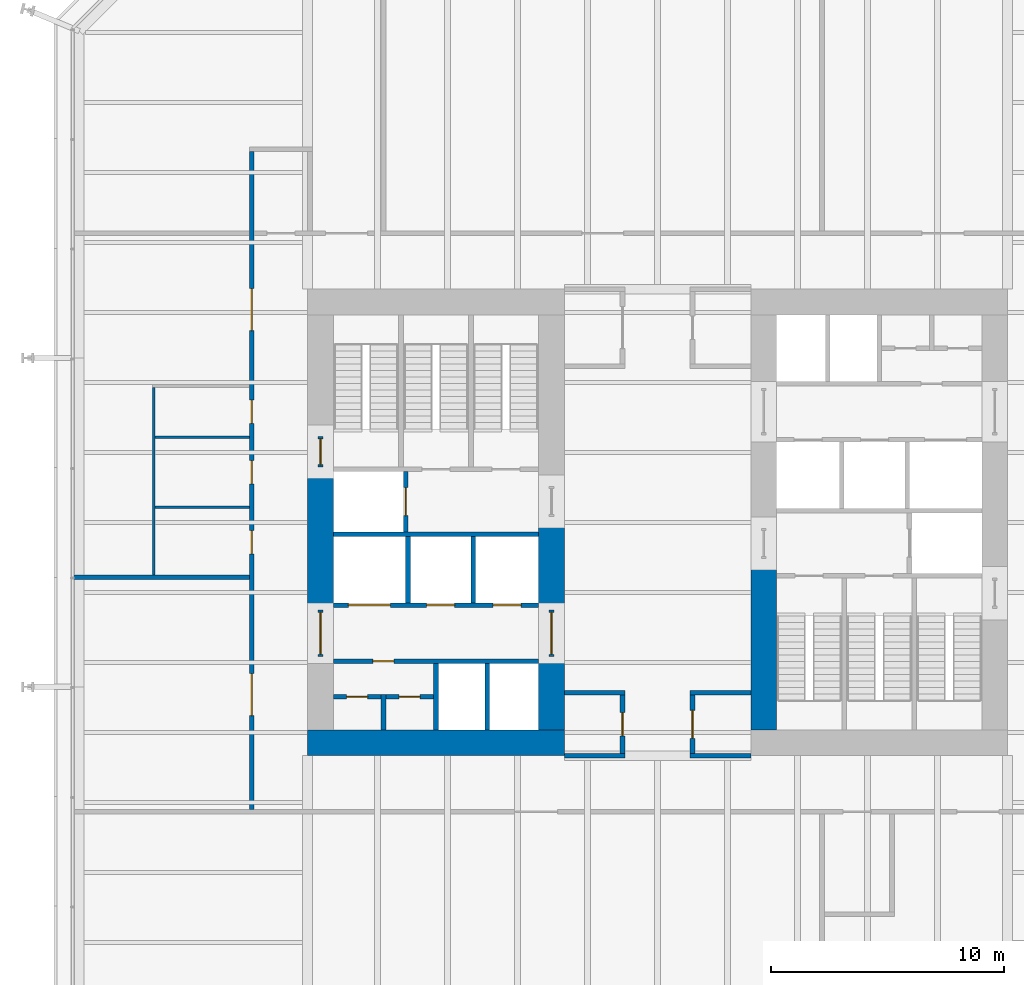
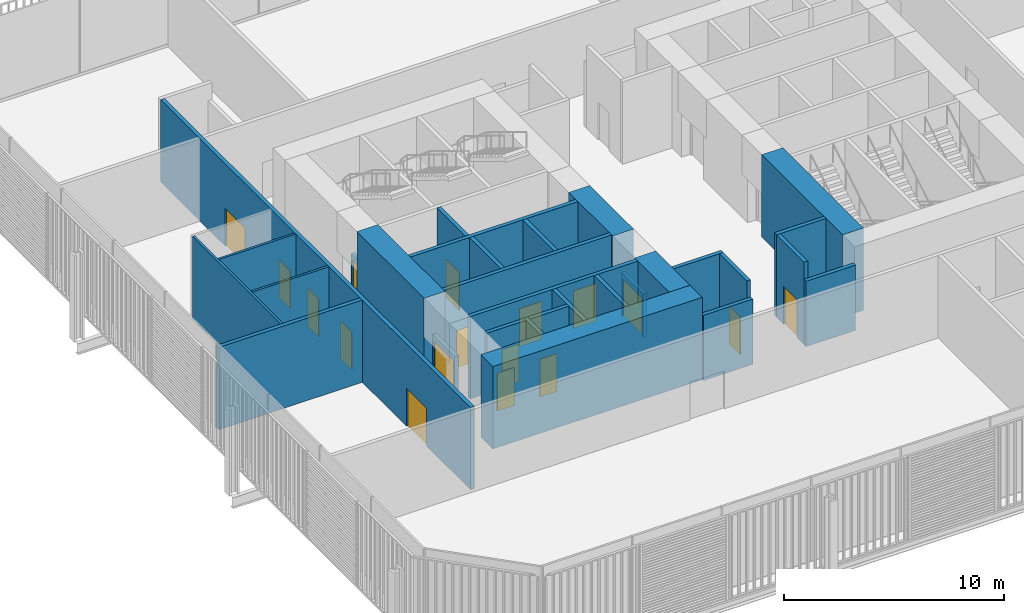
# One storey, part 18 of 22: 29 walls, 17 doors, 17 openings.
"""IFC4 building model written with IfcOpenShell, lengths in metres."""

from ifc_helpers import new_model, si_unit, direction, frame, frame_2d, origin, place, context, subcontext, project, spatial, rectangle, extrude, material, layer, layer_set, type_object, element, fill, save


model = new_model("IFC4")

# Units and contexts
model_context = context("Model", 3, precision=1e-05, world=origin(), true_north=direction((0.0, 1.0)))
body_context = subcontext(model_context, "Body", "Model", "MODEL_VIEW")
ifc_project = project(units=[si_unit("LENGTHUNIT", "METRE"), si_unit("AREAUNIT", "SQUARE_METRE"), si_unit("VOLUMEUNIT", "CUBIC_METRE"), si_unit("PLANEANGLEUNIT", "RADIAN"), si_unit("MASSUNIT", "GRAM", prefix="KILO")], contexts=[model_context])

# Site, building, storey
site_placement = place(None, origin())
site = spatial("IfcSite", under=ifc_project, at=site_placement, CompositionType="ELEMENT")
building_placement = place(site_placement, origin())
building = spatial("IfcBuilding", under=site, at=building_placement, Name="Millrace Tower", CompositionType="ELEMENT")
storey_placement = place(building_placement, frame((0.0, 0.0, 49.699951171875)))
storey = spatial("IfcBuildingStorey", under=building, at=storey_placement, Name="L11", CompositionType="ELEMENT", Elevation=49.699951171875)

# Walls
ifc_material_1 = material(Name="Concrete C80", Category="concrete")
ifc_layer_1 = layer(ifc_material_1, 1.10009765625)
ifc_layer_set_1 = layer_set([ifc_layer_1], Name="Concrete C80")
wall_type_1 = type_object("IfcWallType", Name="Core wall 1100 Concrete C80", PredefinedType="SHEAR", material=ifc_layer_set_1)
wall_1_placement = place(storey_placement, frame((-15.0, -9.449951171875, 0.0), z_axis=(0.0, 0.0, 1.0), x_axis=(1.0, 0.0, 0.0)))
element("IfcWall", 1, at=wall_1_placement, inside=storey, type_object=wall_type_1, Name="Core wall W L11", PredefinedType="SHEAR", context=body_context, shape_type="SweptSolid", body=[
    extrude(rectangle(XDim=11.0, YDim=1.10009765625, at=frame_2d((5.5, 0.0))), origin(), (0.0, 0.0, 1.0), 4.574951171875),
])
wall_2_placement = place(storey_placement, frame((-14.449951171875, -3.75, 0.0), z_axis=(0.0, 0.0, 1.0), x_axis=(0.0, 1.0, 0.0)))
element("IfcWall", 2, at=wall_2_placement, inside=storey, type_object=wall_type_1, Name="Core wall W L11", PredefinedType="SHEAR", context=body_context, shape_type="SweptSolid", body=[
    extrude(rectangle(XDim=6.1298828125, YDim=1.10009765625, at=frame_2d((3.06494140625, 0.0))), origin(), (0.0, 0.0, 1.0), 4.574951171875),
])
wall_3_placement = place(storey_placement, frame((-4.550048828125, -8.89990234375, 0.0), z_axis=(0.0, 0.0, 1.0), x_axis=(0.0, 1.0, 0.0)))
element("IfcWall", 3, at=wall_3_placement, inside=storey, type_object=wall_type_1, Name="Core wall W L11", PredefinedType="SHEAR", context=body_context, shape_type="SweptSolid", body=[
    extrude(rectangle(XDim=3.14990234375, YDim=1.10009765625, at=frame_2d((1.574951171875, 0.0))), origin(), (0.0, 0.0, 1.0), 4.574951171875),
])
wall_4_placement = place(storey_placement, frame((-4.550048828125, -3.75, 0.0), z_axis=(0.0, 0.0, 1.0), x_axis=(0.0, 1.0, 0.0)))
element("IfcWall", 4, at=wall_4_placement, inside=storey, type_object=wall_type_1, Name="Core wall W L11", PredefinedType="SHEAR", context=body_context, shape_type="SweptSolid", body=[
    extrude(rectangle(XDim=4.0, YDim=1.10009765625, at=frame_2d((2.0, 0.0))), origin(), (0.0, 0.0, 1.0), 4.574951171875),
])
wall_5_placement = place(storey_placement, frame((4.550048828125, -1.550048828125, 0.0), z_axis=(0.0, 0.0, 1.0), x_axis=(0.0, -1.0, 0.0)))
element("IfcWall", 5, at=wall_5_placement, inside=storey, type_object=wall_type_1, Name="Core wall E L11", PredefinedType="SHEAR", context=body_context, shape_type="SweptSolid", body=[
    extrude(rectangle(XDim=7.349853515625, YDim=1.10009765625, at=frame_2d((3.6748046875, 0.0))), origin(), (0.0, 0.0, 1.0), 4.574951171875),
])
ifc_material_2 = material(Name="Masonry partition, fire-rated", Category="masonry")
ifc_layer_2 = layer(ifc_material_2, 0.199951171875)
ifc_layer_set_2 = layer_set([ifc_layer_2], Name="Masonry partition, fire-rated")
wall_type_2 = type_object("IfcWallType", Name="Corridor wall 200", PredefinedType="PARTITIONING", material=ifc_layer_set_2)
for number, where, z_axis, x_axis, name in (
    (6, (-4.0, -10.0, 0.0), (0.0, 0.0, 1.0), (1.0, 0.0, 0.0), "Corridor wall L11"),
    (7, (1.39990234375, -10.0, 0.0), (0.0, 0.0, 1.0), (1.0, 0.0, 0.0), "Corridor wall L11"),
):
    element("IfcWall", number, at=place(storey_placement, frame(where, z_axis=z_axis, x_axis=x_axis)), inside=storey, type_object=wall_type_2, Name=name, PredefinedType="PARTITIONING", context=body_context, shape_type="SweptSolid", body=[
        extrude(rectangle(XDim=2.60009765625, YDim=0.199951171875, at=frame_2d((1.300048828125, 0.0))), origin(), (0.0, 0.0, 1.0), 3.627685546875),
    ])
for number, where, z_axis, x_axis, name in (
    (8, (-4.0, -7.300048828125, 0.0), (0.0, 0.0, 1.0), (1.0, 0.0, 0.0), "Corridor wall L11"),
    (9, (1.39990234375, -7.300048828125, 0.0), (0.0, 0.0, 1.0), (1.0, 0.0, 0.0), "Corridor wall L11"),
):
    element("IfcWall", number, at=place(storey_placement, frame(where, z_axis=z_axis, x_axis=x_axis)), inside=storey, type_object=wall_type_2, Name=name, PredefinedType="PARTITIONING", context=body_context, shape_type="SweptSolid", body=[
        extrude(rectangle(XDim=2.60009765625, YDim=0.199951171875, at=frame_2d((1.300048828125, 0.0))), origin(), (0.0, 0.0, 1.0), 4.574951171875),
    ])
wall_6_placement = place(storey_placement, frame((-25.030029296875, -2.35009765625, 0.0), z_axis=(0.0, 0.0, 1.0), x_axis=(1.0, 0.0, 0.0)))
element("IfcWall", 10, at=wall_6_placement, inside=storey, type_object=wall_type_2, Name="Corridor wall L11", PredefinedType="PARTITIONING", context=body_context, shape_type="SweptSolid", body=[
    extrude(rectangle(XDim=7.530029296875, YDim=0.199951171875, at=frame_2d((3.76513671875, 0.0))), origin(), (0.0, 0.0, 1.0), 4.574951171875),
])

# Wall, opening, door
wall_7_placement = place(storey_placement, frame((1.5, -9.89990234375, 0.0), z_axis=(0.0, 0.0, 1.0), x_axis=(0.0, 1.0, 0.0)))
wall_7 = element("IfcWall", 11, at=wall_7_placement, inside=storey, type_object=wall_type_2, Name="Corridor wall L11", PredefinedType="PARTITIONING", context=body_context, shape_type="SweptSolid", body=[
    extrude(rectangle(XDim=2.5, YDim=0.199951171875, at=frame_2d((1.25, 0.0))), origin(), (0.0, 0.0, 1.0), 4.574951171875),
])
opening_1_placement = place(wall_7_placement, frame((0.64990234375, 0.0, 0.0)))
opening_1 = element("IfcOpeningElement", 12, at=opening_1_placement, cuts=wall_7, Name="Opening 11-P004", PredefinedType="OPENING", context=body_context, shape_type="SweptSolid", body=[
    extrude(rectangle(XDim=1.199951171875, YDim=2.10009765625, at=frame_2d((0.60009765625, 1.050048828125))), frame((0.0, 0.10986328125, 0.0), z_axis=(0.0, -1.0, 0.0), x_axis=(1.0, 0.0, 0.0)), (0.0, 0.0, 1.0), 0.219970703125),
])
ifc_material_3 = material(Name="Steel door set, fire-rated", Category="steel")
door_type_1 = type_object("IfcDoorType", Name="Corridor door 1200 x 2100", OperationType="SINGLE_SWING_LEFT", PredefinedType="DOOR", material=ifc_material_3)
door_1_placement = place(opening_1_placement, frame((1.199951171875, 0.0, 0.0), z_axis=(0.0, 0.0, 1.0), x_axis=(-1.0, 0.0, 0.0)))
door_1 = element("IfcDoor", 13, at=door_1_placement, inside=storey, type_object=door_type_1, Name="Door 11-P004", OperationType="SINGLE_SWING_RIGHT", OverallHeight=2.10009765625, OverallWidth=1.199951171875, PredefinedType="DOOR", context=body_context, shape_type="SweptSolid", body=[
    extrude(rectangle(XDim=1.199951171875, YDim=2.10009765625, at=frame_2d((0.60009765625, 1.050048828125))), frame((0.0, 0.02490234375, 0.0), z_axis=(0.0, -1.0, 0.0), x_axis=(1.0, 0.0, 0.0)), (0.0, 0.0, 1.0), 0.050048828125),
])
fill(opening_1, door_1)

wall_8_placement = place(storey_placement, frame((-1.5, -9.89990234375, 0.0), z_axis=(0.0, 0.0, 1.0), x_axis=(0.0, 1.0, 0.0)))
wall_8 = element("IfcWall", 14, at=wall_8_placement, inside=storey, type_object=wall_type_2, Name="Corridor wall L11", PredefinedType="PARTITIONING", context=body_context, shape_type="SweptSolid", body=[
    extrude(rectangle(XDim=2.5, YDim=0.199951171875, at=frame_2d((1.25, 0.0))), origin(), (0.0, 0.0, 1.0), 4.574951171875),
])
opening_2_placement = place(wall_8_placement, frame((0.75, 0.0, 0.0)))
opening_2 = element("IfcOpeningElement", 15, at=opening_2_placement, cuts=wall_8, Name="Opening 11-P003", PredefinedType="OPENING", context=body_context, shape_type="SweptSolid", body=[
    extrude(rectangle(XDim=1.0, YDim=2.10009765625, at=frame_2d((0.5, 1.050048828125))), frame((0.0, 0.10986328125, 0.0), z_axis=(0.0, -1.0, 0.0), x_axis=(1.0, 0.0, 0.0)), (0.0, 0.0, 1.0), 0.219970703125),
])
ifc_material_4 = material(Name="Steel door set, fire-rated", Category="steel")
door_type_2 = type_object("IfcDoorType", Name="Corridor door 1000 x 2100", OperationType="SINGLE_SWING_LEFT", PredefinedType="DOOR", material=ifc_material_4)
door_2_placement = place(opening_2_placement, origin())
door_2 = element("IfcDoor", 16, at=door_2_placement, inside=storey, type_object=door_type_2, Name="Door 11-P003", OperationType="SINGLE_SWING_LEFT", OverallHeight=2.10009765625, OverallWidth=1.0, PredefinedType="DOOR", context=body_context, shape_type="SweptSolid", body=[
    extrude(rectangle(XDim=1.0, YDim=2.10009765625, at=frame_2d((0.5, 1.050048828125))), frame((0.0, 0.02490234375, 0.0), z_axis=(0.0, -1.0, 0.0), x_axis=(1.0, 0.0, 0.0)), (0.0, 0.0, 1.0), 0.050048828125),
])
fill(opening_2, door_2)

# Wall, openings, doors
wall_9_placement = place(storey_placement, frame((-17.39990234375, -12.300048828125, 0.0), z_axis=(0.0, 0.0, 1.0), x_axis=(0.0, 1.0, 0.0)))
wall_9 = element("IfcWall", 17, at=wall_9_placement, inside=storey, type_object=wall_type_2, Name="Corridor wall L11", PredefinedType="PARTITIONING", context=body_context, shape_type="SweptSolid", body=[
    extrude(rectangle(XDim=28.199951171875, YDim=0.199951171875, at=frame_2d((14.10009765625, 0.0))), origin(), (0.0, 0.0, 1.0), 4.574951171875),
])
opening_3_placement = place(wall_9_placement, frame((4.02490234375, 0.0, 0.0)))
opening_3 = element("IfcOpeningElement", 18, at=opening_3_placement, cuts=wall_9, Name="Opening 11-P015", PredefinedType="OPENING", context=body_context, shape_type="SweptSolid", body=[
    extrude(rectangle(XDim=1.800048828125, YDim=2.10009765625, at=frame_2d((0.89990234375, 1.050048828125))), frame((0.0, 0.10986328125, 0.0), z_axis=(0.0, -1.0, 0.0), x_axis=(1.0, 0.0, 0.0)), (0.0, 0.0, 1.0), 0.219970703125),
])
opening_4_placement = place(wall_9_placement, frame((20.52490234375, 0.0, 0.0)))
opening_4 = element("IfcOpeningElement", 19, at=opening_4_placement, cuts=wall_9, Name="Opening 11-P016", PredefinedType="OPENING", context=body_context, shape_type="SweptSolid", body=[
    extrude(rectangle(XDim=1.800048828125, YDim=2.10009765625, at=frame_2d((0.89990234375, 1.050048828125))), frame((0.0, 0.10986328125, 0.0), z_axis=(0.0, -1.0, 0.0), x_axis=(1.0, 0.0, 0.0)), (0.0, 0.0, 1.0), 0.219970703125),
])
opening_5_placement = place(wall_9_placement, frame((10.949951171875, 0.0, 0.0)))
opening_5 = element("IfcOpeningElement", 20, at=opening_5_placement, cuts=wall_9, Name="Opening 11-P017", PredefinedType="OPENING", context=body_context, shape_type="SweptSolid", body=[
    extrude(rectangle(XDim=1.0, YDim=2.10009765625, at=frame_2d((0.5, 1.050048828125))), frame((0.0, 0.10986328125, 0.0), z_axis=(0.0, -1.0, 0.0), x_axis=(1.0, 0.0, 0.0)), (0.0, 0.0, 1.0), 0.219970703125),
])
opening_6_placement = place(wall_9_placement, frame((13.949951171875, 0.0, 0.0)))
opening_6 = element("IfcOpeningElement", 21, at=opening_6_placement, cuts=wall_9, Name="Opening 11-P018", PredefinedType="OPENING", context=body_context, shape_type="SweptSolid", body=[
    extrude(rectangle(XDim=1.0, YDim=2.10009765625, at=frame_2d((0.5, 1.050048828125))), frame((0.0, 0.10986328125, 0.0), z_axis=(0.0, -1.0, 0.0), x_axis=(1.0, 0.0, 0.0)), (0.0, 0.0, 1.0), 0.219970703125),
])
opening_7_placement = place(wall_9_placement, frame((16.550048828125, 0.0, 0.0)))
opening_7 = element("IfcOpeningElement", 22, at=opening_7_placement, cuts=wall_9, Name="Opening 11-P019", PredefinedType="OPENING", context=body_context, shape_type="SweptSolid", body=[
    extrude(rectangle(XDim=1.0, YDim=2.10009765625, at=frame_2d((0.5, 1.050048828125))), frame((0.0, 0.10986328125, 0.0), z_axis=(0.0, -1.0, 0.0), x_axis=(1.0, 0.0, 0.0)), (0.0, 0.0, 1.0), 0.219970703125),
])
door_3_placement = place(opening_5_placement, origin())
door_3 = element("IfcDoor", 23, at=door_3_placement, inside=storey, type_object=door_type_2, Name="Door 11-P017", OperationType="SINGLE_SWING_LEFT", OverallHeight=2.10009765625, OverallWidth=1.0, PredefinedType="DOOR", context=body_context, shape_type="SweptSolid", body=[
    extrude(rectangle(XDim=1.0, YDim=2.10009765625, at=frame_2d((0.5, 1.050048828125))), frame((0.0, 0.02490234375, 0.0), z_axis=(0.0, -1.0, 0.0), x_axis=(1.0, 0.0, 0.0)), (0.0, 0.0, 1.0), 0.050048828125),
])
fill(opening_5, door_3)
door_4_placement = place(opening_6_placement, origin())
door_4 = element("IfcDoor", 24, at=door_4_placement, inside=storey, type_object=door_type_2, Name="Door 11-P018", OperationType="SINGLE_SWING_RIGHT", OverallHeight=2.10009765625, OverallWidth=1.0, PredefinedType="DOOR", context=body_context, shape_type="SweptSolid", body=[
    extrude(rectangle(XDim=1.0, YDim=2.10009765625, at=frame_2d((0.5, 1.050048828125))), frame((0.0, 0.02490234375, 0.0), z_axis=(0.0, -1.0, 0.0), x_axis=(1.0, 0.0, 0.0)), (0.0, 0.0, 1.0), 0.050048828125),
])
fill(opening_6, door_4)
door_5_placement = place(opening_7_placement, origin())
door_5 = element("IfcDoor", 25, at=door_5_placement, inside=storey, type_object=door_type_2, Name="Door 11-P019", OperationType="SINGLE_SWING_RIGHT", OverallHeight=2.10009765625, OverallWidth=1.0, PredefinedType="DOOR", context=body_context, shape_type="SweptSolid", body=[
    extrude(rectangle(XDim=1.0, YDim=2.10009765625, at=frame_2d((0.5, 1.050048828125))), frame((0.0, 0.02490234375, 0.0), z_axis=(0.0, -1.0, 0.0), x_axis=(1.0, 0.0, 0.0)), (0.0, 0.0, 1.0), 0.050048828125),
])
fill(opening_7, door_5)
ifc_material_5 = material(Name="Steel door set, fire-rated", Category="steel")
door_type_3 = type_object("IfcDoorType", Name="Corridor door 1800 x 2100", OperationType="DOUBLE_DOOR_SINGLE_SWING", PredefinedType="DOOR", material=ifc_material_5)
door_6_placement = place(opening_4_placement, origin())
door_6 = element("IfcDoor", 26, at=door_6_placement, inside=storey, type_object=door_type_3, Name="Door 11-P016", OperationType="DOUBLE_DOOR_SINGLE_SWING", OverallHeight=2.10009765625, OverallWidth=1.800048828125, PredefinedType="DOOR", context=body_context, shape_type="SweptSolid", body=[
    extrude(rectangle(XDim=1.800048828125, YDim=2.10009765625, at=frame_2d((0.89990234375, 1.050048828125))), frame((0.0, 0.02490234375, 0.0), z_axis=(0.0, -1.0, 0.0), x_axis=(1.0, 0.0, 0.0)), (0.0, 0.0, 1.0), 0.050048828125),
])
fill(opening_4, door_6)
ifc_material_6 = material(Name="Steel door set, fire-rated", Category="steel")
door_type_4 = type_object("IfcDoorType", Name="Data hall door 1800 x 2100", OperationType="DOUBLE_DOOR_SINGLE_SWING", PredefinedType="DOOR", material=ifc_material_6)
door_7_placement = place(opening_3_placement, origin())
door_7 = element("IfcDoor", 27, at=door_7_placement, inside=storey, type_object=door_type_4, Name="Door 11-P015", OperationType="DOUBLE_DOOR_SINGLE_SWING", OverallHeight=2.10009765625, OverallWidth=1.800048828125, PredefinedType="DOOR", context=body_context, shape_type="SweptSolid", body=[
    extrude(rectangle(XDim=1.800048828125, YDim=2.10009765625, at=frame_2d((0.89990234375, 1.050048828125))), frame((0.0, 0.02490234375, 0.0), z_axis=(0.0, -1.0, 0.0), x_axis=(1.0, 0.0, 0.0)), (0.0, 0.0, 1.0), 0.050048828125),
])
fill(opening_3, door_7)

# Wall, opening, door
ifc_material_7 = material(Name="Masonry partition, fire-rated", Category="masonry")
ifc_layer_3 = layer(ifc_material_7, 0.199951171875)
ifc_layer_set_3 = layer_set([ifc_layer_3], Name="Masonry partition, fire-rated")
wall_type_3 = type_object("IfcWallType", Name="Lift shaft wall 200", PredefinedType="PARTITIONING", material=ifc_layer_set_3)
wall_10_placement = place(storey_placement, frame((-13.89990234375, -5.949951171875, 0.0), z_axis=(0.0, 0.0, 1.0), x_axis=(1.0, 0.0, 0.0)))
wall_10 = element("IfcWall", 28, at=wall_10_placement, inside=storey, type_object=wall_type_3, Name="Lift shaft wall W L11", PredefinedType="PARTITIONING", context=body_context, shape_type="SweptSolid", body=[
    extrude(rectangle(XDim=8.7998046875, YDim=0.199951171875, at=frame_2d((4.39990234375, 0.0))), origin(), (0.0, 0.0, 1.0), 4.574951171875),
])
opening_8_placement = place(wall_10_placement, frame((1.699951171875, 0.0, 0.0)))
opening_8 = element("IfcOpeningElement", 29, at=opening_8_placement, cuts=wall_10, Name="Opening 11-C005", PredefinedType="OPENING", context=body_context, shape_type="SweptSolid", body=[
    extrude(rectangle(XDim=0.89990234375, YDim=2.10009765625, at=frame_2d((0.449951171875, 1.050048828125))), frame((0.0, 0.10986328125, 0.0), z_axis=(0.0, -1.0, 0.0), x_axis=(1.0, 0.0, 0.0)), (0.0, 0.0, 1.0), 0.219970703125),
])
ifc_material_8 = material(Name="Steel door, fire-rated", Category="steel")
door_type_5 = type_object("IfcDoorType", Name="Service room door 900 x 2100", OperationType="SINGLE_SWING_LEFT", PredefinedType="DOOR", material=ifc_material_8)
door_8_placement = place(opening_8_placement, origin())
door_8 = element("IfcDoor", 30, at=door_8_placement, inside=storey, type_object=door_type_5, Name="Service room door 11-C005", OperationType="SINGLE_SWING_LEFT", OverallHeight=2.10009765625, OverallWidth=0.89990234375, PredefinedType="DOOR", context=body_context, shape_type="SweptSolid", body=[
    extrude(rectangle(XDim=0.89990234375, YDim=2.10009765625, at=frame_2d((0.449951171875, 1.050048828125))), frame((0.0, 0.02490234375, 0.0), z_axis=(0.0, -1.0, 0.0), x_axis=(1.0, 0.0, 0.0)), (0.0, 0.0, 1.0), 0.050048828125),
])
fill(opening_8, door_8)

# Wall, openings, doors
wall_11_placement = place(storey_placement, frame((-13.89990234375, -3.550048828125, 0.0), z_axis=(0.0, 0.0, 1.0), x_axis=(1.0, 0.0, 0.0)))
wall_11 = element("IfcWall", 31, at=wall_11_placement, inside=storey, type_object=wall_type_3, Name="Lift shaft wall W L11", PredefinedType="PARTITIONING", context=body_context, shape_type="SweptSolid", body=[
    extrude(rectangle(XDim=8.7998046875, YDim=0.199951171875, at=frame_2d((4.39990234375, 0.0))), origin(), (0.0, 0.0, 1.0), 4.574951171875),
])
opening_9_placement = place(wall_11_placement, frame((0.64990234375, 0.0, 0.0)))
opening_9 = element("IfcOpeningElement", 32, at=opening_9_placement, cuts=wall_11, Name="Opening 11-LD05", PredefinedType="OPENING", context=body_context, shape_type="SweptSolid", body=[
    extrude(rectangle(XDim=1.800048828125, YDim=2.10009765625, at=frame_2d((0.89990234375, 1.050048828125))), frame((0.0, 0.10986328125, 0.0), z_axis=(0.0, -1.0, 0.0), x_axis=(1.0, 0.0, 0.0)), (0.0, 0.0, 1.0), 0.219970703125),
])
opening_10_placement = place(wall_11_placement, frame((4.0, 0.0, 0.0)))
opening_10 = element("IfcOpeningElement", 33, at=opening_10_placement, cuts=wall_11, Name="Opening 11-LD06", PredefinedType="OPENING", context=body_context, shape_type="SweptSolid", body=[
    extrude(rectangle(XDim=1.199951171875, YDim=2.10009765625, at=frame_2d((0.60009765625, 1.050048828125))), frame((0.0, 0.10986328125, 0.0), z_axis=(0.0, -1.0, 0.0), x_axis=(1.0, 0.0, 0.0)), (0.0, 0.0, 1.0), 0.219970703125),
])
opening_11_placement = place(wall_11_placement, frame((6.85009765625, 0.0, 0.0)))
opening_11 = element("IfcOpeningElement", 34, at=opening_11_placement, cuts=wall_11, Name="Opening 11-LD07", PredefinedType="OPENING", context=body_context, shape_type="SweptSolid", body=[
    extrude(rectangle(XDim=1.199951171875, YDim=2.10009765625, at=frame_2d((0.60009765625, 1.050048828125))), frame((0.0, 0.10986328125, 0.0), z_axis=(0.0, -1.0, 0.0), x_axis=(1.0, 0.0, 0.0)), (0.0, 0.0, 1.0), 0.219970703125),
])
ifc_material_9 = material(Name="Stainless steel, fire-rated", Category="steel")
door_type_6 = type_object("IfcDoorType", Name="Lift landing door 1200 x 2100", OperationType="DOUBLE_DOOR_SLIDING", PredefinedType="DOOR", material=ifc_material_9)
door_9_placement = place(opening_10_placement, origin())
door_9 = element("IfcDoor", 35, at=door_9_placement, inside=storey, type_object=door_type_6, Name="Lift landing door LF6 L11", OperationType="DOUBLE_DOOR_SLIDING", OverallHeight=2.10009765625, OverallWidth=1.199951171875, PredefinedType="DOOR", context=body_context, shape_type="SweptSolid", body=[
    extrude(rectangle(XDim=1.199951171875, YDim=2.10009765625, at=frame_2d((0.60009765625, 1.050048828125))), frame((0.0, 0.02490234375, 0.0), z_axis=(0.0, -1.0, 0.0), x_axis=(1.0, 0.0, 0.0)), (0.0, 0.0, 1.0), 0.050048828125),
])
fill(opening_10, door_9)
door_10_placement = place(opening_11_placement, origin())
door_10 = element("IfcDoor", 36, at=door_10_placement, inside=storey, type_object=door_type_6, Name="Lift landing door LF7 L11", OperationType="DOUBLE_DOOR_SLIDING", OverallHeight=2.10009765625, OverallWidth=1.199951171875, PredefinedType="DOOR", context=body_context, shape_type="SweptSolid", body=[
    extrude(rectangle(XDim=1.199951171875, YDim=2.10009765625, at=frame_2d((0.60009765625, 1.050048828125))), frame((0.0, 0.02490234375, 0.0), z_axis=(0.0, -1.0, 0.0), x_axis=(1.0, 0.0, 0.0)), (0.0, 0.0, 1.0), 0.050048828125),
])
fill(opening_11, door_10)
ifc_material_10 = material(Name="Stainless steel, fire-rated", Category="steel")
door_type_7 = type_object("IfcDoorType", Name="Lift landing door 1800 x 2100", OperationType="DOUBLE_DOOR_SLIDING", PredefinedType="DOOR", material=ifc_material_10)
door_11_placement = place(opening_9_placement, origin())
door_11 = element("IfcDoor", 37, at=door_11_placement, inside=storey, type_object=door_type_7, Name="Lift landing door LF5 L11", OperationType="DOUBLE_DOOR_SLIDING", OverallHeight=2.10009765625, OverallWidth=1.800048828125, PredefinedType="DOOR", context=body_context, shape_type="SweptSolid", body=[
    extrude(rectangle(XDim=1.800048828125, YDim=2.10009765625, at=frame_2d((0.89990234375, 1.050048828125))), frame((0.0, 0.02490234375, 0.0), z_axis=(0.0, -1.0, 0.0), x_axis=(1.0, 0.0, 0.0)), (0.0, 0.0, 1.0), 0.050048828125),
])
fill(opening_9, door_11)

# Wall
wall_12_placement = place(storey_placement, frame((-13.89990234375, -0.5, 0.0), z_axis=(0.0, 0.0, 1.0), x_axis=(1.0, 0.0, 0.0)))
element("IfcWall", 38, at=wall_12_placement, inside=storey, type_object=wall_type_3, Name="Lift shaft wall W L11", PredefinedType="PARTITIONING", context=body_context, shape_type="SweptSolid", body=[
    extrude(rectangle(XDim=8.7998046875, YDim=0.199951171875, at=frame_2d((4.39990234375, 0.0))), origin(), (0.0, 0.0, 1.0), 4.574951171875),
])

# Wall, opening, door
wall_13_placement = place(storey_placement, frame((-10.800048828125, -0.39990234375, 0.0), z_axis=(0.0, 0.0, 1.0), x_axis=(0.0, 1.0, 0.0)))
wall_13 = element("IfcWall", 39, at=wall_13_placement, inside=storey, type_object=wall_type_3, Name="Lift shaft wall W L11", PredefinedType="PARTITIONING", context=body_context, shape_type="SweptSolid", body=[
    extrude(rectangle(XDim=2.579833984375, YDim=0.199951171875, at=frame_2d((1.2900390625, 0.0))), origin(), (0.0, 0.0, 1.0), 4.574951171875),
])
opening_12_placement = place(wall_13_placement, frame((0.68994140625, 0.0, 0.0)))
opening_12 = element("IfcOpeningElement", 40, at=opening_12_placement, cuts=wall_13, Name="Opening 11-LD08", PredefinedType="OPENING", context=body_context, shape_type="SweptSolid", body=[
    extrude(rectangle(XDim=1.199951171875, YDim=2.10009765625, at=frame_2d((0.60009765625, 1.050048828125))), frame((0.0, 0.10986328125, 0.0), z_axis=(0.0, -1.0, 0.0), x_axis=(1.0, 0.0, 0.0)), (0.0, 0.0, 1.0), 0.219970703125),
])
door_12_placement = place(opening_12_placement, origin())
door_12 = element("IfcDoor", 41, at=door_12_placement, inside=storey, type_object=door_type_6, Name="Lift landing door LF8 L11", OperationType="DOUBLE_DOOR_SLIDING", OverallHeight=2.10009765625, OverallWidth=1.199951171875, PredefinedType="DOOR", context=body_context, shape_type="SweptSolid", body=[
    extrude(rectangle(XDim=1.199951171875, YDim=2.10009765625, at=frame_2d((0.60009765625, 1.050048828125))), frame((0.0, 0.02490234375, 0.0), z_axis=(0.0, -1.0, 0.0), x_axis=(1.0, 0.0, 0.0)), (0.0, 0.0, 1.0), 0.050048828125),
])
fill(opening_12, door_12)

# Walls
for number, where, z_axis, x_axis, name in (
    (42, (-9.5, -8.89990234375, 0.0), (0.0, 0.0, 1.0), (0.0, 1.0, 0.0), "Lift shaft wall W L11"),
    (43, (-7.300048828125, -8.89990234375, 0.0), (0.0, 0.0, 1.0), (0.0, 1.0, 0.0), "Lift shaft wall W L11"),
    (44, (-10.699951171875, -3.449951171875, 0.0), (0.0, 0.0, 1.0), (0.0, 1.0, 0.0), "Lift shaft wall W L11"),
    (45, (-7.89990234375, -3.449951171875, 0.0), (0.0, 0.0, 1.0), (0.0, 1.0, 0.0), "Lift shaft wall W L11"),
):
    element("IfcWall", number, at=place(storey_placement, frame(where, z_axis=z_axis, x_axis=x_axis)), inside=storey, type_object=wall_type_3, Name=name, PredefinedType="PARTITIONING", context=body_context, shape_type="SweptSolid", body=[
        extrude(rectangle(XDim=2.849853515625, YDim=0.199951171875, at=frame_2d((1.4248046875, 0.0))), origin(), (0.0, 0.0, 1.0), 4.574951171875),
    ])

# Wall, opening, door
ifc_material_11 = material(Name="Masonry partition, fire-rated", Category="masonry")
ifc_layer_4 = layer(ifc_material_11, 0.199951171875)
ifc_layer_set_4 = layer_set([ifc_layer_4], Name="Masonry partition, fire-rated")
wall_type_4 = type_object("IfcWallType", Name="Lobby wall 200", PredefinedType="PARTITIONING", material=ifc_layer_set_4)
wall_14_placement = place(storey_placement, frame((-14.449951171875, -5.75, 0.0), z_axis=(0.0, 0.0, 1.0), x_axis=(0.0, 1.0, 0.0)))
wall_14 = element("IfcWall", 46, at=wall_14_placement, inside=storey, type_object=wall_type_4, Name="Lobby wall W L11", PredefinedType="PARTITIONING", context=body_context, shape_type="SweptSolid", body=[
    extrude(rectangle(XDim=2.0, YDim=0.199951171875, at=frame_2d((1.0, 0.0))), origin(), (0.0, 0.0, 1.0), 2.400146484375),
])
opening_13_placement = place(wall_14_placement, frame((0.10009765625, 0.0, 0.0)))
opening_13 = element("IfcOpeningElement", 47, at=opening_13_placement, cuts=wall_14, Name="Opening 11-C001", PredefinedType="OPENING", context=body_context, shape_type="SweptSolid", body=[
    extrude(rectangle(XDim=1.800048828125, YDim=2.10009765625, at=frame_2d((0.89990234375, 1.050048828125))), frame((0.0, 0.10986328125, 0.0), z_axis=(0.0, -1.0, 0.0), x_axis=(1.0, 0.0, 0.0)), (0.0, 0.0, 1.0), 0.219970703125),
])
ifc_material_12 = material(Name="Steel door, fire-rated", Category="steel")
door_type_8 = type_object("IfcDoorType", Name="Lobby door 1800 x 2100", OperationType="DOUBLE_DOOR_SINGLE_SWING", PredefinedType="DOOR", material=ifc_material_12)
door_13_placement = place(opening_13_placement, origin())
door_13 = element("IfcDoor", 48, at=door_13_placement, inside=storey, type_object=door_type_8, Name="Lobby door 11-C001", OperationType="DOUBLE_DOOR_SINGLE_SWING", OverallHeight=2.10009765625, OverallWidth=1.800048828125, PredefinedType="DOOR", context=body_context, shape_type="SweptSolid", body=[
    extrude(rectangle(XDim=1.800048828125, YDim=2.10009765625, at=frame_2d((0.89990234375, 1.050048828125))), frame((0.0, 0.02490234375, 0.0), z_axis=(0.0, -1.0, 0.0), x_axis=(1.0, 0.0, 0.0)), (0.0, 0.0, 1.0), 0.050048828125),
])
fill(opening_13, door_13)

wall_15_placement = place(storey_placement, frame((-4.550048828125, -5.75, 0.0), z_axis=(0.0, 0.0, 1.0), x_axis=(0.0, 1.0, 0.0)))
wall_15 = element("IfcWall", 49, at=wall_15_placement, inside=storey, type_object=wall_type_4, Name="Lobby wall W L11", PredefinedType="PARTITIONING", context=body_context, shape_type="SweptSolid", body=[
    extrude(rectangle(XDim=2.0, YDim=0.199951171875, at=frame_2d((1.0, 0.0))), origin(), (0.0, 0.0, 1.0), 2.400146484375),
])
opening_14_placement = place(wall_15_placement, frame((0.10009765625, 0.0, 0.0)))
opening_14 = element("IfcOpeningElement", 50, at=opening_14_placement, cuts=wall_15, Name="Opening 11-C003", PredefinedType="OPENING", context=body_context, shape_type="SweptSolid", body=[
    extrude(rectangle(XDim=1.800048828125, YDim=2.10009765625, at=frame_2d((0.89990234375, 1.050048828125))), frame((0.0, 0.10986328125, 0.0), z_axis=(0.0, -1.0, 0.0), x_axis=(1.0, 0.0, 0.0)), (0.0, 0.0, 1.0), 0.219970703125),
])
door_14_placement = place(opening_14_placement, origin())
door_14 = element("IfcDoor", 51, at=door_14_placement, inside=storey, type_object=door_type_8, Name="Lobby door 11-C003", OperationType="DOUBLE_DOOR_SINGLE_SWING", OverallHeight=2.10009765625, OverallWidth=1.800048828125, PredefinedType="DOOR", context=body_context, shape_type="SweptSolid", body=[
    extrude(rectangle(XDim=1.800048828125, YDim=2.10009765625, at=frame_2d((0.89990234375, 1.050048828125))), frame((0.0, 0.02490234375, 0.0), z_axis=(0.0, -1.0, 0.0), x_axis=(1.0, 0.0, 0.0)), (0.0, 0.0, 1.0), 0.050048828125),
])
fill(opening_14, door_14)

# Walls
ifc_material_13 = material(Name="Gypsum board partition")
ifc_layer_5 = layer(ifc_material_13, 0.1201171875)
ifc_layer_set_5 = layer_set([ifc_layer_5], Name="Gypsum board partition")
wall_type_5 = type_object("IfcWallType", Name="Partition wall 120", PredefinedType="PARTITIONING", material=ifc_layer_set_5)
for number, where, z_axis, x_axis, name in (
    (52, (-21.5400390625, 0.64990234375, 0.0), (0.0, 0.0, 1.0), (1.0, 0.0, 0.0), "Partition wall L11"),
    (53, (-21.5400390625, 3.64990234375, 0.0), (0.0, 0.0, 1.0), (1.0, 0.0, 0.0), "Partition wall L11"),
):
    element("IfcWall", number, at=place(storey_placement, frame(where, z_axis=z_axis, x_axis=x_axis)), inside=storey, type_object=wall_type_5, Name=name, PredefinedType="PARTITIONING", context=body_context, shape_type="SweptSolid", body=[
        extrude(rectangle(XDim=4.0400390625, YDim=0.1201171875, at=frame_2d((2.02001953125, 0.0))), origin(), (0.0, 0.0, 1.0), 4.574951171875),
    ])
wall_16_placement = place(storey_placement, frame((-21.60009765625, -2.25, 0.0), z_axis=(0.0, 0.0, 1.0), x_axis=(0.0, 1.0, 0.0)))
element("IfcWall", 54, at=wall_16_placement, inside=storey, type_object=wall_type_5, Name="Partition wall L11", PredefinedType="PARTITIONING", context=body_context, shape_type="SweptSolid", body=[
    extrude(rectangle(XDim=8.0400390625, YDim=0.1201171875, at=frame_2d((4.02001953125, 0.0))), origin(), (0.0, 0.0, 1.0), 4.574951171875),
])

# Wall, openings, doors
ifc_material_14 = material(Name="Masonry partition, fire-rated", Category="masonry")
ifc_layer_6 = layer(ifc_material_14, 0.199951171875)
ifc_layer_set_6 = layer_set([ifc_layer_6], Name="Masonry partition, fire-rated")
wall_type_6 = type_object("IfcWallType", Name="Room partition 200", PredefinedType="PARTITIONING", material=ifc_layer_set_6)
wall_17_placement = place(storey_placement, frame((-13.89990234375, -7.47509765625, 0.0), z_axis=(0.0, 0.0, 1.0), x_axis=(1.0, 0.0, 0.0)))
wall_17 = element("IfcWall", 55, at=wall_17_placement, inside=storey, type_object=wall_type_6, Name="Room partition W L11", PredefinedType="PARTITIONING", context=body_context, shape_type="SweptSolid", body=[
    extrude(rectangle(XDim=4.2998046875, YDim=0.199951171875, at=frame_2d((2.14990234375, 0.0))), origin(), (0.0, 0.0, 1.0), 4.574951171875),
])
opening_15_placement = place(wall_17_placement, frame((0.574951171875, 0.0, 0.0)))
opening_15 = element("IfcOpeningElement", 56, at=opening_15_placement, cuts=wall_17, Name="Opening 11-C006", PredefinedType="OPENING", context=body_context, shape_type="SweptSolid", body=[
    extrude(rectangle(XDim=0.89990234375, YDim=2.10009765625, at=frame_2d((0.449951171875, 1.050048828125))), frame((0.0, 0.10986328125, 0.0), z_axis=(0.0, -1.0, 0.0), x_axis=(1.0, 0.0, 0.0)), (0.0, 0.0, 1.0), 0.219970703125),
])
opening_16_placement = place(wall_17_placement, frame((2.824951171875, 0.0, 0.0)))
opening_16 = element("IfcOpeningElement", 57, at=opening_16_placement, cuts=wall_17, Name="Opening 11-C007", PredefinedType="OPENING", context=body_context, shape_type="SweptSolid", body=[
    extrude(rectangle(XDim=0.89990234375, YDim=2.10009765625, at=frame_2d((0.449951171875, 1.050048828125))), frame((0.0, 0.10986328125, 0.0), z_axis=(0.0, -1.0, 0.0), x_axis=(1.0, 0.0, 0.0)), (0.0, 0.0, 1.0), 0.219970703125),
])
door_15_placement = place(opening_15_placement, frame((0.89990234375, 0.0, 0.0), z_axis=(0.0, 0.0, 1.0), x_axis=(-1.0, 0.0, 0.0)))
door_15 = element("IfcDoor", 58, at=door_15_placement, inside=storey, type_object=door_type_5, Name="Service room door 11-C006", OperationType="SINGLE_SWING_RIGHT", OverallHeight=2.10009765625, OverallWidth=0.89990234375, PredefinedType="DOOR", context=body_context, shape_type="SweptSolid", body=[
    extrude(rectangle(XDim=0.89990234375, YDim=2.10009765625, at=frame_2d((0.449951171875, 1.050048828125))), frame((0.0, 0.02490234375, 0.0), z_axis=(0.0, -1.0, 0.0), x_axis=(1.0, 0.0, 0.0)), (0.0, 0.0, 1.0), 0.050048828125),
])
fill(opening_15, door_15)
door_16_placement = place(opening_16_placement, frame((0.89990234375, 0.0, 0.0), z_axis=(0.0, 0.0, 1.0), x_axis=(-1.0, 0.0, 0.0)))
door_16 = element("IfcDoor", 59, at=door_16_placement, inside=storey, type_object=door_type_5, Name="Service room door 11-C007", OperationType="SINGLE_SWING_LEFT", OverallHeight=2.10009765625, OverallWidth=0.89990234375, PredefinedType="DOOR", context=body_context, shape_type="SweptSolid", body=[
    extrude(rectangle(XDim=0.89990234375, YDim=2.10009765625, at=frame_2d((0.449951171875, 1.050048828125))), frame((0.0, 0.02490234375, 0.0), z_axis=(0.0, -1.0, 0.0), x_axis=(1.0, 0.0, 0.0)), (0.0, 0.0, 1.0), 0.050048828125),
])
fill(opening_16, door_16)

# Wall
wall_18_placement = place(storey_placement, frame((-11.75, -8.89990234375, 0.0), z_axis=(0.0, 0.0, 1.0), x_axis=(0.0, 1.0, 0.0)))
element("IfcWall", 60, at=wall_18_placement, inside=storey, type_object=wall_type_6, Name="Room partition W L11", PredefinedType="PARTITIONING", context=body_context, shape_type="SweptSolid", body=[
    extrude(rectangle(XDim=1.52490234375, YDim=0.199951171875, at=frame_2d((0.762451171875, 0.0))), origin(), (0.0, 0.0, 1.0), 4.574951171875),
])

# Wall, opening, door
ifc_material_15 = material(Name="Concrete C40", Category="concrete")
ifc_layer_7 = layer(ifc_material_15, 0.199951171875)
ifc_layer_set_7 = layer_set([ifc_layer_7], Name="Concrete C40")
wall_type_7 = type_object("IfcWallType", Name="Stair enclosure wall 200 Concrete C40", PredefinedType="SHEAR", material=ifc_layer_set_7)
wall_19_placement = place(storey_placement, frame((-14.449951171875, 2.3798828125, 0.0), z_axis=(0.0, 0.0, 1.0), x_axis=(0.0, 1.0, 0.0)))
wall_19 = element("IfcWall", 61, at=wall_19_placement, inside=storey, type_object=wall_type_7, Name="Stair enclosure wall W L11", PredefinedType="SHEAR", context=body_context, shape_type="SweptSolid", body=[
    extrude(rectangle(XDim=1.300048828125, YDim=0.199951171875, at=frame_2d((0.64990234375, 0.0))), origin(), (0.0, 0.0, 1.0), 2.400146484375),
])
opening_17_placement = place(wall_19_placement, frame((0.10009765625, 0.0, 0.0)))
opening_17 = element("IfcOpeningElement", 62, at=opening_17_placement, cuts=wall_19, Name="Opening 11-C002", PredefinedType="OPENING", context=body_context, shape_type="SweptSolid", body=[
    extrude(rectangle(XDim=1.10009765625, YDim=2.10009765625, at=frame_2d((0.550048828125, 1.050048828125))), frame((0.0, 0.10986328125, 0.0), z_axis=(0.0, -1.0, 0.0), x_axis=(1.0, 0.0, 0.0)), (0.0, 0.0, 1.0), 0.219970703125),
])
ifc_material_16 = material(Name="Steel door, fire-rated", Category="steel")
door_type_9 = type_object("IfcDoorType", Name="Stair door 1100 x 2100", OperationType="SINGLE_SWING_LEFT", PredefinedType="DOOR", material=ifc_material_16)
door_17_placement = place(opening_17_placement, origin())
door_17 = element("IfcDoor", 63, at=door_17_placement, inside=storey, type_object=door_type_9, Name="Stair door 11-C002", OperationType="SINGLE_SWING_LEFT", OverallHeight=2.10009765625, OverallWidth=1.10009765625, PredefinedType="DOOR", context=body_context, shape_type="SweptSolid", body=[
    extrude(rectangle(XDim=1.10009765625, YDim=2.10009765625, at=frame_2d((0.550048828125, 1.050048828125))), frame((0.0, 0.02490234375, 0.0), z_axis=(0.0, -1.0, 0.0), x_axis=(1.0, 0.0, 0.0)), (0.0, 0.0, 1.0), 0.050048828125),
])
fill(opening_17, door_17)

save(model, "model.ifc")
